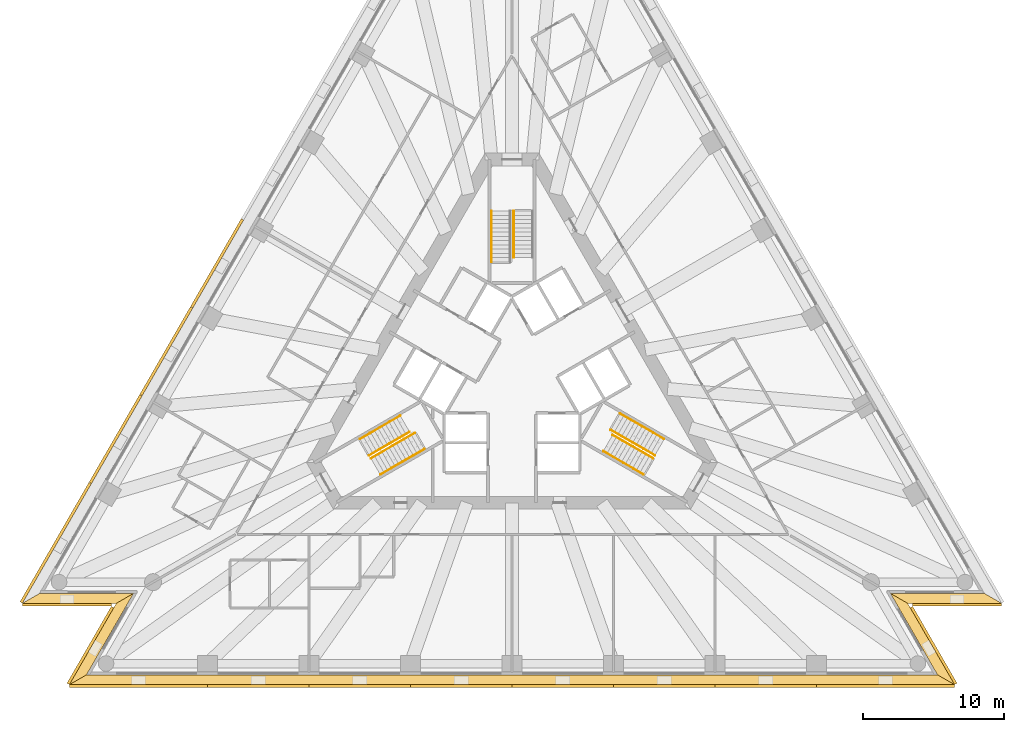
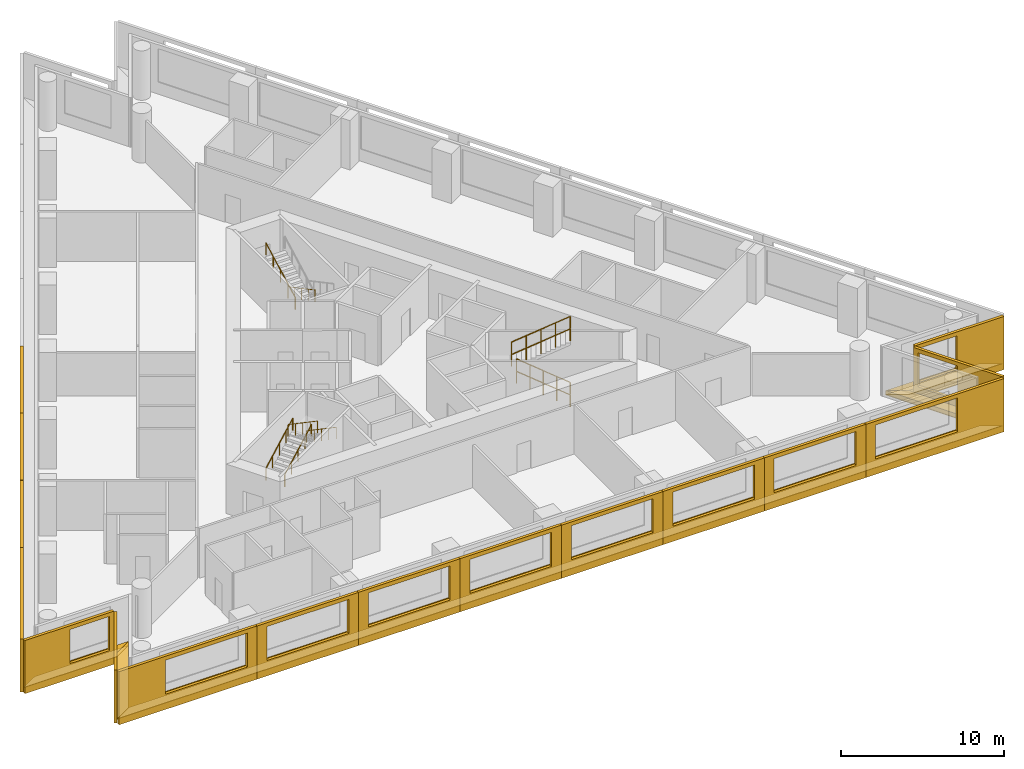
# One storey, part 10 of 11: 21 shading devices, 10 railings, 5 coverings, 3 elements without a shape of their own.
"""IFC4 building model written with IfcOpenShell, lengths in metres."""

from ifc_helpers import new_model, si_unit, direction, frame, origin, origin_2d, place, context, subcontext, project, spatial, polyline, circle, outline, extrude, material, layer, layer_set, layer_usage, type_object, element, aggregate, save


model = new_model("IFC4")

# Units and contexts
model_context = context("Model", 3, precision=1e-05, world=origin(), true_north=direction((0.0, 1.0)))
body_context = subcontext(model_context, "Body", "Model", "MODEL_VIEW")
ifc_project = project(units=[si_unit("LENGTHUNIT", "METRE"), si_unit("AREAUNIT", "SQUARE_METRE"), si_unit("VOLUMEUNIT", "CUBIC_METRE"), si_unit("PLANEANGLEUNIT", "RADIAN"), si_unit("MASSUNIT", "GRAM", prefix="KILO")], contexts=[model_context])

# Site, building, storey
site_placement = place(None, origin())
site = spatial("IfcSite", under=ifc_project, at=site_placement, CompositionType="ELEMENT")
building_placement = place(site_placement, origin())
building = spatial("IfcBuilding", under=site, at=building_placement, Name="Triada Interchange Tower", CompositionType="ELEMENT")
storey_placement = place(building_placement, frame((0.0, 0.0, 91.300048828125)))
storey = spatial("IfcBuildingStorey", under=building, at=storey_placement, Name="L20", CompositionType="ELEMENT", Elevation=91.300048828125)

# Coverings
ifc_material_1 = material(Name="Mineral fire-stop board")
ifc_layer_1 = layer(ifc_material_1, 0.0400390625, Name="Mineral fire-stop board")
ifc_material_2 = material(Name="Intumescent sealant")
ifc_layer_2 = layer(ifc_material_2, 0.010009765625, Name="Intumescent seal")
ifc_layer_set_1 = layer_set([ifc_layer_1, ifc_layer_2], Name="Cavity fire stop")
ifc_layer_usage = layer_usage(ifc_layer_set_1, "AXIS3", "POSITIVE", 0.0)
covering_type = type_object("IfcCoveringType", Name="Cavity fire stop", PredefinedType="INSULATION", material=ifc_layer_set_1)
covering_1_placement = place(storey_placement, origin())
element("IfcCovering", 1, at=covering_1_placement, inside=storey, type_object=covering_type, material=ifc_layer_usage, Name="Cavity fire stop L20 SW-1", PredefinedType="INSULATION", context=body_context, shape_type="SweptSolid", body=[
    extrude(outline(polyline([(-33.445068359375, -15.469970703125), (-34.656982421875, -16.169921875), (-28.007080078125, -16.169921875), (-26.794921875, -15.469970703125), (-33.445068359375, -15.469970703125)])), origin(), (0.0, 0.0, 1.0), 0.050048828125),
])
covering_2_placement = place(storey_placement, origin())
element("IfcCovering", 2, at=covering_2_placement, inside=storey, type_object=covering_type, material=ifc_layer_usage, Name="Cavity fire stop L20 SW-2", PredefinedType="INSULATION", context=body_context, shape_type="SweptSolid", body=[
    extrude(outline(polyline([(-26.794921875, -15.469970703125), (-28.007080078125, -16.169921875), (-31.33203125, -21.928955078125), (-30.1201171875, -21.22900390625), (-26.794921875, -15.469970703125)])), origin(), (0.0, 0.0, 1.0), 0.050048828125),
])
covering_3_placement = place(storey_placement, origin())
element("IfcCovering", 3, at=covering_3_placement, inside=storey, type_object=covering_type, material=ifc_layer_usage, Name="Cavity fire stop L20 S", PredefinedType="INSULATION", context=body_context, shape_type="SweptSolid", body=[
    extrude(outline(polyline([(-30.1201171875, -21.22900390625), (-31.33203125, -21.928955078125), (31.33203125, -21.928955078125), (30.1201171875, -21.22900390625), (-30.1201171875, -21.22900390625)])), origin(), (0.0, 0.0, 1.0), 0.050048828125),
])
covering_4_placement = place(storey_placement, origin())
element("IfcCovering", 4, at=covering_4_placement, inside=storey, type_object=covering_type, material=ifc_layer_usage, Name="Cavity fire stop L20 SE-1", PredefinedType="INSULATION", context=body_context, shape_type="SweptSolid", body=[
    extrude(outline(polyline([(30.1201171875, -21.22900390625), (31.33203125, -21.928955078125), (28.007080078125, -16.169921875), (26.794921875, -15.469970703125), (30.1201171875, -21.22900390625)])), origin(), (0.0, 0.0, 1.0), 0.050048828125),
])
covering_5_placement = place(storey_placement, origin())
element("IfcCovering", 5, at=covering_5_placement, inside=storey, type_object=covering_type, material=ifc_layer_usage, Name="Cavity fire stop L20 SE-2", PredefinedType="INSULATION", context=body_context, shape_type="SweptSolid", body=[
    extrude(outline(polyline([(26.794921875, -15.469970703125), (28.007080078125, -16.169921875), (34.656982421875, -16.169921875), (33.445068359375, -15.469970703125), (26.794921875, -15.469970703125)])), origin(), (0.0, 0.0, 1.0), 0.050048828125),
])

# Shading devices
ifc_material_3 = material(Name="Aluminium louvre", Category="aluminium")
shading_device_type_1 = type_object("IfcShadingDeviceType", Name="Cavity louvre grille", PredefinedType="JALOUSIE", material=ifc_material_3)
shading_device_1_placement = place(storey_placement, frame((0.0, 0.0, 0.050048828125)))
element("IfcShadingDevice", 6, at=shading_device_1_placement, inside=storey, type_object=shading_device_type_1, Name="Cavity louvre grille L20 SW-1", PredefinedType="JALOUSIE", context=body_context, shape_type="SweptSolid", body=[
    extrude(outline(polyline([(-33.445068359375, -15.469970703125), (-34.656982421875, -16.169921875), (-28.007080078125, -16.169921875), (-26.794921875, -15.469970703125), (-33.445068359375, -15.469970703125)])), origin(), (0.0, 0.0, 1.0), 0.2998046875),
])
shading_device_2_placement = place(storey_placement, frame((0.0, 0.0, 0.050048828125)))
element("IfcShadingDevice", 7, at=shading_device_2_placement, inside=storey, type_object=shading_device_type_1, Name="Cavity louvre grille L20 SW-2", PredefinedType="JALOUSIE", context=body_context, shape_type="SweptSolid", body=[
    extrude(outline(polyline([(-26.794921875, -15.469970703125), (-28.007080078125, -16.169921875), (-31.33203125, -21.928955078125), (-30.1201171875, -21.22900390625), (-26.794921875, -15.469970703125)])), origin(), (0.0, 0.0, 1.0), 0.2998046875),
])
shading_device_3_placement = place(storey_placement, frame((0.0, 0.0, 0.050048828125)))
element("IfcShadingDevice", 8, at=shading_device_3_placement, inside=storey, type_object=shading_device_type_1, Name="Cavity louvre grille L20 S", PredefinedType="JALOUSIE", context=body_context, shape_type="SweptSolid", body=[
    extrude(outline(polyline([(-30.1201171875, -21.22900390625), (-31.33203125, -21.928955078125), (31.33203125, -21.928955078125), (30.1201171875, -21.22900390625), (-30.1201171875, -21.22900390625)])), origin(), (0.0, 0.0, 1.0), 0.2998046875),
])
shading_device_4_placement = place(storey_placement, frame((0.0, 0.0, 0.050048828125)))
element("IfcShadingDevice", 9, at=shading_device_4_placement, inside=storey, type_object=shading_device_type_1, Name="Cavity louvre grille L20 SE-1", PredefinedType="JALOUSIE", context=body_context, shape_type="SweptSolid", body=[
    extrude(outline(polyline([(30.1201171875, -21.22900390625), (31.33203125, -21.928955078125), (28.007080078125, -16.169921875), (26.794921875, -15.469970703125), (30.1201171875, -21.22900390625)])), origin(), (0.0, 0.0, 1.0), 0.2998046875),
])
shading_device_5_placement = place(storey_placement, frame((0.0, 0.0, 0.050048828125)))
element("IfcShadingDevice", 10, at=shading_device_5_placement, inside=storey, type_object=shading_device_type_1, Name="Cavity louvre grille L20 SE-2", PredefinedType="JALOUSIE", context=body_context, shape_type="SweptSolid", body=[
    extrude(outline(polyline([(26.794921875, -15.469970703125), (28.007080078125, -16.169921875), (34.656982421875, -16.169921875), (33.445068359375, -15.469970703125), (26.794921875, -15.469970703125)])), origin(), (0.0, 0.0, 1.0), 0.2998046875),
])
ifc_material_4 = material(Name="Concrete C50/60 precast", Category="concrete")
ifc_layer_3 = layer(ifc_material_4, 0.02001953125, Name="Exposed aggregate face")
ifc_layer_4 = layer(ifc_material_4, 0.179931640625, Name="Precast concrete screen")
ifc_layer_set_2 = layer_set([ifc_layer_3, ifc_layer_4], Name="Outer skin screen panel 3980")
shading_device_type_2 = type_object("IfcShadingDeviceType", Name="Outer skin screen panel 3980", PredefinedType="SHUTTER", material=ifc_layer_set_2)
shading_device_6_placement = place(storey_placement, frame((-18.99609375, 10.9560546875, -0.2900390625), z_axis=(0.0, 0.0, 1.0), x_axis=(-0.499984023993, -0.86603462734, 0.0)))
element("IfcShadingDevice", 11, at=shading_device_6_placement, inside=storey, type_object=shading_device_type_2, Name="Outer skin screen panel L20 05", PredefinedType="SHUTTER", context=body_context, shape_type="SweptSolid", body=[
    extrude(outline(polyline([(0.0, 0.0), (7.163818359375, 0.0), (7.163818359375, 3.97998046875), (0.0, 3.97998046875), (0.0, 0.0)]), holes=[polyline([(0.681396484375, 1.139892578125), (0.681396484375, 3.68994140625), (6.4814453125, 3.68994140625), (6.4814453125, 1.139892578125), (0.681396484375, 1.139892578125)])]), frame((0.0, 0.0, 0.0), z_axis=(0.0, -1.0, 0.0), x_axis=(1.0, 0.0, 0.0)), (0.0, 0.0, 1.0), 0.199951171875),
])
shading_device_7_placement = place(storey_placement, frame((-22.587890625, 4.735107421875, -0.2900390625), z_axis=(0.0, 0.0, 1.0), x_axis=(-0.500009583697, -0.866019870564, 0.0)))
element("IfcShadingDevice", 12, at=shading_device_7_placement, inside=storey, type_object=shading_device_type_2, Name="Outer skin screen panel L20 06", PredefinedType="SHUTTER", context=body_context, shape_type="SweptSolid", body=[
    extrude(outline(polyline([(0.0, 0.0), (7.163818359375, 0.0), (7.163818359375, 3.97998046875), (0.0, 3.97998046875), (0.0, 0.0)]), holes=[polyline([(0.681884765625, 1.139892578125), (0.681884765625, 3.68994140625), (6.48193359375, 3.68994140625), (6.48193359375, 1.139892578125), (0.681884765625, 1.139892578125)])]), frame((0.0, 0.0, 0.0), z_axis=(0.0, -1.0, 0.0), x_axis=(1.0, 0.0, 0.0)), (0.0, 0.0, 1.0), 0.199951171875),
])
shading_device_8_placement = place(storey_placement, frame((-26.179931640625, -1.486083984375, -0.2900390625), z_axis=(0.0, 0.0, 1.0), x_axis=(-0.499922093299, -0.866070378567, 0.0)))
element("IfcShadingDevice", 13, at=shading_device_8_placement, inside=storey, type_object=shading_device_type_2, Name="Outer skin screen panel L20 07", PredefinedType="SHUTTER", context=body_context, shape_type="SweptSolid", body=[
    extrude(outline(polyline([(0.0, 0.0), (7.163330078125, 0.0), (7.163330078125, 3.97998046875), (0.0, 3.97998046875), (0.0, 0.0)]), holes=[polyline([(0.681396484375, 1.139892578125), (0.681396484375, 3.68994140625), (6.4814453125, 3.68994140625), (6.4814453125, 1.139892578125), (0.681396484375, 1.139892578125)])]), frame((0.0, 0.0, 0.0), z_axis=(0.0, -1.0, 0.0), x_axis=(1.0, 0.0, 0.0)), (0.0, 0.0, 1.0), 0.199951171875),
])
shading_device_9_placement = place(storey_placement, frame((-29.77099609375, -7.70703125, -0.2900390625), z_axis=(0.0, 0.0, 1.0), x_axis=(-0.500020487159, -0.866013575194, 0.0)))
element("IfcShadingDevice", 14, at=shading_device_9_placement, inside=storey, type_object=shading_device_type_2, Name="Outer skin screen panel L20 08", PredefinedType="SHUTTER", context=body_context, shape_type="SweptSolid", body=[
    extrude(outline(polyline([(0.0, 0.0), (9.76171875, 0.0), (9.76171875, 3.97998046875), (0.0, 3.97998046875), (0.0, 0.0)]), holes=[polyline([(0.681884765625, 1.139892578125), (0.681884765625, 3.68994140625), (6.481689453125, 3.68994140625), (6.481689453125, 1.139892578125), (0.681884765625, 1.139892578125)])]), frame((0.0, 0.0, 0.0), z_axis=(0.0, -1.0, 0.0), x_axis=(1.0, 0.0, 0.0)), (0.0, 0.0, 1.0), 0.199951171875),
])
shading_device_10_placement = place(storey_placement, frame((-34.64697265625, -16.169921875, -0.2900390625), z_axis=(0.0, 0.0, 1.0), x_axis=(1.0, 0.0, 0.0)))
element("IfcShadingDevice", 15, at=shading_device_10_placement, inside=storey, type_object=shading_device_type_2, Name="Outer skin screen panel L20 09", PredefinedType="SHUTTER", context=body_context, shape_type="SweptSolid", body=[
    extrude(outline(polyline([(0.0, 0.0), (6.282958984375, 0.0), (6.282958984375, 3.97998046875), (0.0, 3.97998046875), (0.0, 0.0)]), holes=[polyline([(3.175048828125, 1.139892578125), (3.175048828125, 3.68994140625), (5.98291015625, 3.68994140625), (5.98291015625, 1.139892578125), (3.175048828125, 1.139892578125)])]), frame((0.0, 0.0, 0.0), z_axis=(0.0, -1.0, 0.0), x_axis=(1.0, 0.0, 0.0)), (0.0, 0.0, 1.0), 0.199951171875),
])
shading_device_11_placement = place(storey_placement, frame((-28.18603515625, -16.47900390625, -0.2900390625), z_axis=(0.0, 0.0, 1.0), x_axis=(-0.499946717738, -0.866056164128, 0.0)))
element("IfcShadingDevice", 16, at=shading_device_11_placement, inside=storey, type_object=shading_device_type_2, Name="Outer skin screen panel L20 10", PredefinedType="SHUTTER", context=body_context, shape_type="SweptSolid", body=[
    extrude(outline(polyline([(0.0, 0.0), (6.282470703125, 0.0), (6.282470703125, 3.97998046875), (0.0, 3.97998046875), (0.0, 0.0)]), holes=[polyline([(0.300048828125, 1.139892578125), (0.300048828125, 3.68994140625), (2.9580078125, 3.68994140625), (2.9580078125, 1.139892578125), (0.300048828125, 1.139892578125)])]), frame((0.0, 0.0, 0.0), z_axis=(0.0, -1.0, 0.0), x_axis=(1.0, 0.0, 0.0)), (0.0, 0.0, 1.0), 0.199951171875),
])
shading_device_12_placement = place(storey_placement, frame((-31.322021484375, -21.928955078125, -0.2900390625), z_axis=(0.0, 0.0, 1.0), x_axis=(1.0, 0.0, 0.0)))
element("IfcShadingDevice", 17, at=shading_device_12_placement, inside=storey, type_object=shading_device_type_2, Name="Outer skin screen panel L20 11", PredefinedType="SHUTTER", context=body_context, shape_type="SweptSolid", body=[
    extrude(outline(polyline([(0.0, 0.0), (9.761962890625, 0.0), (9.761962890625, 3.97998046875), (0.0, 3.97998046875), (0.0, 0.0)]), holes=[polyline([(3.280029296875, 1.139892578125), (3.280029296875, 3.68994140625), (9.080078125, 3.68994140625), (9.080078125, 1.139892578125), (3.280029296875, 1.139892578125)])]), frame((0.0, 0.0, 0.0), z_axis=(0.0, -1.0, 0.0), x_axis=(1.0, 0.0, 0.0)), (0.0, 0.0, 1.0), 0.199951171875),
])
shading_device_13_placement = place(storey_placement, frame((-21.5400390625, -21.928955078125, -0.2900390625), z_axis=(0.0, 0.0, 1.0), x_axis=(1.0, 0.0, 0.0)))
element("IfcShadingDevice", 18, at=shading_device_13_placement, inside=storey, type_object=shading_device_type_2, Name="Outer skin screen panel L20 12", PredefinedType="SHUTTER", context=body_context, shape_type="SweptSolid", body=[
    extrude(outline(polyline([(0.0, 0.0), (7.1630859375, 0.0), (7.1630859375, 3.97998046875), (0.0, 3.97998046875), (0.0, 0.0)]), holes=[polyline([(0.681396484375, 1.139892578125), (0.681396484375, 3.68994140625), (6.4814453125, 3.68994140625), (6.4814453125, 1.139892578125), (0.681396484375, 1.139892578125)])]), frame((0.0, 0.0, 0.0), z_axis=(0.0, -1.0, 0.0), x_axis=(1.0, 0.0, 0.0)), (0.0, 0.0, 1.0), 0.199951171875),
])
shading_device_14_placement = place(storey_placement, frame((-14.35693359375, -21.928955078125, -0.2900390625), z_axis=(0.0, 0.0, 1.0), x_axis=(1.0, 0.0, 0.0)))
element("IfcShadingDevice", 19, at=shading_device_14_placement, inside=storey, type_object=shading_device_type_2, Name="Outer skin screen panel L20 13", PredefinedType="SHUTTER", context=body_context, shape_type="SweptSolid", body=[
    extrude(outline(polyline([(0.0, 0.0), (7.162841796875, 0.0), (7.162841796875, 3.97998046875), (0.0, 3.97998046875), (0.0, 0.0)]), holes=[polyline([(0.681884765625, 1.139892578125), (0.681884765625, 3.68994140625), (6.48193359375, 3.68994140625), (6.48193359375, 1.139892578125), (0.681884765625, 1.139892578125)])]), frame((0.0, 0.0, 0.0), z_axis=(0.0, -1.0, 0.0), x_axis=(1.0, 0.0, 0.0)), (0.0, 0.0, 1.0), 0.199951171875),
])
shading_device_15_placement = place(storey_placement, frame((-7.174072265625, -21.928955078125, -0.2900390625), z_axis=(0.0, 0.0, 1.0), x_axis=(1.0, 0.0, 0.0)))
element("IfcShadingDevice", 20, at=shading_device_15_placement, inside=storey, type_object=shading_device_type_2, Name="Outer skin screen panel L20 14", PredefinedType="SHUTTER", context=body_context, shape_type="SweptSolid", body=[
    extrude(outline(polyline([(0.0, 0.0), (7.1640625, 0.0), (7.1640625, 3.97998046875), (0.0, 3.97998046875), (0.0, 0.0)]), holes=[polyline([(0.681396484375, 1.139892578125), (0.681396484375, 3.68994140625), (6.4814453125, 3.68994140625), (6.4814453125, 1.139892578125), (0.681396484375, 1.139892578125)])]), frame((0.0, 0.0, 0.0), z_axis=(0.0, -1.0, 0.0), x_axis=(1.0, 0.0, 0.0)), (0.0, 0.0, 1.0), 0.199951171875),
])
shading_device_16_placement = place(storey_placement, frame((0.010009765625, -21.928955078125, -0.2900390625), z_axis=(0.0, 0.0, 1.0), x_axis=(1.0, 0.0, 0.0)))
element("IfcShadingDevice", 21, at=shading_device_16_placement, inside=storey, type_object=shading_device_type_2, Name="Outer skin screen panel L20 15", PredefinedType="SHUTTER", context=body_context, shape_type="SweptSolid", body=[
    extrude(outline(polyline([(0.0, 0.0), (7.1640625, 0.0), (7.1640625, 3.97998046875), (0.0, 3.97998046875), (0.0, 0.0)]), holes=[polyline([(0.681884765625, 1.139892578125), (0.681884765625, 3.68994140625), (6.48193359375, 3.68994140625), (6.48193359375, 1.139892578125), (0.681884765625, 1.139892578125)])]), frame((0.0, 0.0, 0.0), z_axis=(0.0, -1.0, 0.0), x_axis=(1.0, 0.0, 0.0)), (0.0, 0.0, 1.0), 0.199951171875),
])
shading_device_17_placement = place(storey_placement, frame((7.194091796875, -21.928955078125, -0.2900390625), z_axis=(0.0, 0.0, 1.0), x_axis=(1.0, 0.0, 0.0)))
element("IfcShadingDevice", 22, at=shading_device_17_placement, inside=storey, type_object=shading_device_type_2, Name="Outer skin screen panel L20 16", PredefinedType="SHUTTER", context=body_context, shape_type="SweptSolid", body=[
    extrude(outline(polyline([(0.0, 0.0), (7.162841796875, 0.0), (7.162841796875, 3.97998046875), (0.0, 3.97998046875), (0.0, 0.0)]), holes=[polyline([(0.681396484375, 1.139892578125), (0.681396484375, 3.68994140625), (6.4814453125, 3.68994140625), (6.4814453125, 1.139892578125), (0.681396484375, 1.139892578125)])]), frame((0.0, 0.0, 0.0), z_axis=(0.0, -1.0, 0.0), x_axis=(1.0, 0.0, 0.0)), (0.0, 0.0, 1.0), 0.199951171875),
])
shading_device_18_placement = place(storey_placement, frame((14.376953125, -21.928955078125, -0.2900390625), z_axis=(0.0, 0.0, 1.0), x_axis=(1.0, 0.0, 0.0)))
element("IfcShadingDevice", 23, at=shading_device_18_placement, inside=storey, type_object=shading_device_type_2, Name="Outer skin screen panel L20 17", PredefinedType="SHUTTER", context=body_context, shape_type="SweptSolid", body=[
    extrude(outline(polyline([(0.0, 0.0), (7.1630859375, 0.0), (7.1630859375, 3.97998046875), (0.0, 3.97998046875), (0.0, 0.0)]), holes=[polyline([(0.681884765625, 1.139892578125), (0.681884765625, 3.68994140625), (6.48193359375, 3.68994140625), (6.48193359375, 1.139892578125), (0.681884765625, 1.139892578125)])]), frame((0.0, 0.0, 0.0), z_axis=(0.0, -1.0, 0.0), x_axis=(1.0, 0.0, 0.0)), (0.0, 0.0, 1.0), 0.199951171875),
])
shading_device_19_placement = place(storey_placement, frame((21.56005859375, -21.928955078125, -0.2900390625), z_axis=(0.0, 0.0, 1.0), x_axis=(1.0, 0.0, 0.0)))
element("IfcShadingDevice", 24, at=shading_device_19_placement, inside=storey, type_object=shading_device_type_2, Name="Outer skin screen panel L20 18", PredefinedType="SHUTTER", context=body_context, shape_type="SweptSolid", body=[
    extrude(outline(polyline([(0.0, 0.0), (9.761962890625, 0.0), (9.761962890625, 3.97998046875), (0.0, 3.97998046875), (0.0, 0.0)]), holes=[polyline([(0.681396484375, 1.139892578125), (0.681396484375, 3.68994140625), (6.4814453125, 3.68994140625), (6.4814453125, 1.139892578125), (0.681396484375, 1.139892578125)])]), frame((0.0, 0.0, 0.0), z_axis=(0.0, -1.0, 0.0), x_axis=(1.0, 0.0, 0.0)), (0.0, 0.0, 1.0), 0.199951171875),
])
shading_device_20_placement = place(storey_placement, frame((31.326904296875, -21.919921875, -0.2900390625), z_axis=(0.0, 0.0, 1.0), x_axis=(-0.499946717738, 0.866056164128, 0.0)))
element("IfcShadingDevice", 25, at=shading_device_20_placement, inside=storey, type_object=shading_device_type_2, Name="Outer skin screen panel L20 19", PredefinedType="SHUTTER", context=body_context, shape_type="SweptSolid", body=[
    extrude(outline(polyline([(0.0, 0.0), (6.282470703125, 0.0), (6.282470703125, 3.97998046875), (0.0, 3.97998046875), (0.0, 0.0)]), holes=[polyline([(3.17529296875, 1.139892578125), (3.17529296875, 3.68994140625), (5.983154296875, 3.68994140625), (5.983154296875, 1.139892578125), (3.17529296875, 1.139892578125)])]), frame((0.0, 0.0, 0.0), z_axis=(0.0, -1.0, 0.0), x_axis=(1.0, 0.0, 0.0)), (0.0, 0.0, 1.0), 0.199951171875),
])
shading_device_21_placement = place(storey_placement, frame((28.364013671875, -16.169921875, -0.2900390625), z_axis=(0.0, 0.0, 1.0), x_axis=(1.0, 0.0, 0.0)))
element("IfcShadingDevice", 26, at=shading_device_21_placement, inside=storey, type_object=shading_device_type_2, Name="Outer skin screen panel L20 20", PredefinedType="SHUTTER", context=body_context, shape_type="SweptSolid", body=[
    extrude(outline(polyline([(0.0, 0.0), (6.282958984375, 0.0), (6.282958984375, 3.97998046875), (0.0, 3.97998046875), (0.0, 0.0)]), holes=[polyline([(0.300048828125, 1.139892578125), (0.300048828125, 3.68994140625), (2.9580078125, 3.68994140625), (2.9580078125, 1.139892578125), (0.300048828125, 1.139892578125)])]), frame((0.0, 0.0, 0.0), z_axis=(0.0, -1.0, 0.0), x_axis=(1.0, 0.0, 0.0)), (0.0, 0.0, 1.0), 0.199951171875),
])

# Stair, railings
ifc_material_5 = material(Name="Concrete C35/45", Category="concrete")
stair_type = type_object("IfcStairType", Name="HALF TURN STAIR 1400", PredefinedType="HALF_TURN_STAIR", material=ifc_material_5)
stair_1_placement = place(storey_placement, origin())
stair_1 = element("IfcStair", 27, at=stair_1_placement, inside=storey, type_object=stair_type, Name="Exit stair S18-1", PredefinedType="HALF_TURN_STAIR")
ifc_material_6 = material(Name="Stainless steel 1.4301", Category="steel")
railing_type = type_object("IfcRailingType", Name="STAIR HANDRAIL 900", PredefinedType="HANDRAIL", material=ifc_material_6)
railing_1_placement = place(storey_placement, frame((0.1201171875, 11.60009765625, 0.159912109375)))
railing_1 = element("IfcRailing", 28, at=railing_1_placement, type_object=railing_type, Name="Handrail S18-1 1C", PredefinedType="HANDRAIL", context=body_context, shape_type="SweptSolid", body=[
    extrude(circle(Radius=0.02392578125, at=origin_2d()), frame((0.0, 0.0, 0.8759765625), z_axis=(0.0, -0.882354748157, 0.47058484719), x_axis=(1.0, 0.0, 0.0)), (0.0, 0.0, 1.0), 3.739990234375),
    extrude(circle(Radius=0.02099609375, at=origin_2d()), origin(), (0.0, 0.0, 1.0), 0.851806640625),
    extrude(circle(Radius=0.02099609375, at=origin_2d()), frame((0.0, -0.824951171875, 0.43994140625)), (0.0, 0.0, 1.0), 0.851806640625),
    extrude(circle(Radius=0.02099609375, at=origin_2d()), frame((0.0, -1.64990234375, 0.8798828125)), (0.0, 0.0, 1.0), 0.851806640625),
    extrude(circle(Radius=0.02099609375, at=origin_2d()), frame((0.0, -2.47509765625, 1.320068359375)), (0.0, 0.0, 1.0), 0.851806640625),
    extrude(circle(Radius=0.02099609375, at=origin_2d()), frame((0.0, -3.300048828125, 1.760009765625)), (0.0, 0.0, 1.0), 0.851806640625),
])
railing_2_placement = place(storey_placement, frame((-1.449951171875, 8.0, 2.079833984375)))
railing_2 = element("IfcRailing", 29, at=railing_2_placement, type_object=railing_type, Name="Handrail S18-1 2W", PredefinedType="HANDRAIL", context=body_context, shape_type="SweptSolid", body=[
    extrude(circle(Radius=0.02392578125, at=origin_2d()), frame((0.0, 0.0, 0.8759765625), z_axis=(0.0, 0.882341346394, 0.470609974867), x_axis=(-1.0, 0.0, 0.0)), (0.0, 0.0, 1.0), 4.080078125),
    extrude(circle(Radius=0.02099609375, at=origin_2d()), origin(), (0.0, 0.0, 1.0), 0.851806640625),
    extrude(circle(Radius=0.02099609375, at=origin_2d()), frame((0.0, 0.89990234375, 0.47998046875)), (0.0, 0.0, 1.0), 0.851806640625),
    extrude(circle(Radius=0.02099609375, at=origin_2d()), frame((0.0, 1.800048828125, 0.9599609375)), (0.0, 0.0, 1.0), 0.851806640625),
    extrude(circle(Radius=0.02099609375, at=origin_2d()), frame((0.0, 2.7001953125, 1.440185546875)), (0.0, 0.0, 1.0), 0.851806640625),
    extrude(circle(Radius=0.02099609375, at=origin_2d()), frame((0.0, 3.60009765625, 1.920166015625)), (0.0, 0.0, 1.0), 0.851806640625),
])
aggregate(stair_1, [railing_1, railing_2])

stair_2_placement = place(storey_placement, origin())
stair_2 = element("IfcStair", 30, at=stair_2_placement, inside=storey, type_object=stair_type, Name="Exit stair S18-2", PredefinedType="HALF_TURN_STAIR")
railing_3_placement = place(storey_placement, frame((-10.77099609375, -4.5439453125, 0.159912109375)))
railing_3 = element("IfcRailing", 31, at=railing_3_placement, type_object=railing_type, Name="Handrail S18-2 1W", PredefinedType="HANDRAIL", context=body_context, shape_type="SweptSolid", body=[
    extrude(circle(Radius=0.02392578125, at=origin_2d()), frame((0.0, 0.0, 0.8759765625), z_axis=(0.764150854273, 0.441152526326, 0.470593158077), x_axis=(-0.499974350878, 0.866040211805, 0.0)), (0.0, 0.0, 1.0), 3.739990234375),
    extrude(circle(Radius=0.02099609375, at=origin_2d()), origin(), (0.0, 0.0, 1.0), 0.851806640625),
    extrude(circle(Radius=0.02099609375, at=origin_2d()), frame((0.71435546875, 0.41259765625, 0.43994140625)), (0.0, 0.0, 1.0), 0.851806640625),
    extrude(circle(Radius=0.02099609375, at=origin_2d()), frame((1.428955078125, 0.824951171875, 0.8798828125)), (0.0, 0.0, 1.0), 0.851806640625),
    extrude(circle(Radius=0.02099609375, at=origin_2d()), frame((2.1435546875, 1.2373046875, 1.320068359375)), (0.0, 0.0, 1.0), 0.851806640625),
    extrude(circle(Radius=0.02099609375, at=origin_2d()), frame((2.85791015625, 1.64990234375, 1.760009765625)), (0.0, 0.0, 1.0), 0.851806640625),
])
railing_4_placement = place(storey_placement, frame((-10.10595703125, -5.696044921875, 0.159912109375)))
railing_4 = element("IfcRailing", 32, at=railing_4_placement, type_object=railing_type, Name="Handrail S18-2 1C", PredefinedType="HANDRAIL", context=body_context, shape_type="SweptSolid", body=[
    extrude(circle(Radius=0.02392578125, at=origin_2d()), frame((0.0, 0.0, 0.8759765625), z_axis=(0.76412884773, 0.441205098395, 0.470579605611), x_axis=(-0.50002983664, 0.866008176907, 0.0)), (0.0, 0.0, 1.0), 3.739990234375),
    extrude(circle(Radius=0.02099609375, at=origin_2d()), origin(), (0.0, 0.0, 1.0), 0.851806640625),
    extrude(circle(Radius=0.02099609375, at=origin_2d()), frame((0.71435546875, 0.41259765625, 0.43994140625)), (0.0, 0.0, 1.0), 0.851806640625),
    extrude(circle(Radius=0.02099609375, at=origin_2d()), frame((1.428955078125, 0.8251953125, 0.8798828125)), (0.0, 0.0, 1.0), 0.851806640625),
    extrude(circle(Radius=0.02099609375, at=origin_2d()), frame((2.1435546875, 1.237548828125, 1.320068359375)), (0.0, 0.0, 1.0), 0.851806640625),
    extrude(circle(Radius=0.02099609375, at=origin_2d()), frame((2.85791015625, 1.650146484375, 1.760009765625)), (0.0, 0.0, 1.0), 0.851806640625),
])
railing_5_placement = place(storey_placement, frame((-6.202880859375, -5.256103515625, 2.079833984375)))
railing_5 = element("IfcRailing", 33, at=railing_5_placement, type_object=railing_type, Name="Handrail S18-2 2W", PredefinedType="HANDRAIL", context=body_context, shape_type="SweptSolid", body=[
    extrude(circle(Radius=0.02392578125, at=origin_2d()), frame((0.0, 0.0, 0.8759765625), z_axis=(-0.764189758314, -0.441090424232, 0.470588196769), x_axis=(0.499902469156, -0.866081705922, 0.0)), (0.0, 0.0, 1.0), 4.080322265625),
    extrude(circle(Radius=0.02099609375, at=origin_2d()), origin(), (0.0, 0.0, 1.0), 0.851806640625),
    extrude(circle(Radius=0.02099609375, at=origin_2d()), frame((-0.779541015625, -0.449951171875, 0.47998046875)), (0.0, 0.0, 1.0), 0.851806640625),
    extrude(circle(Radius=0.02099609375, at=origin_2d()), frame((-1.55908203125, -0.89990234375, 0.9599609375)), (0.0, 0.0, 1.0), 0.851806640625),
    extrude(circle(Radius=0.02099609375, at=origin_2d()), frame((-2.338623046875, -1.349853515625, 1.440185546875)), (0.0, 0.0, 1.0), 0.851806640625),
    extrude(circle(Radius=0.02099609375, at=origin_2d()), frame((-3.1181640625, -1.7998046875, 1.920166015625)), (0.0, 0.0, 1.0), 0.851806640625),
])
railing_6_placement = place(storey_placement, frame((-6.867919921875, -4.10400390625, 2.079833984375)))
railing_6 = element("IfcRailing", 34, at=railing_6_placement, type_object=railing_type, Name="Handrail S18-2 2C", PredefinedType="HANDRAIL", context=body_context, shape_type="SweptSolid", body=[
    extrude(circle(Radius=0.02392578125, at=origin_2d()), frame((0.0, 0.0, 0.8759765625), z_axis=(-0.764169589359, -0.441138614339, 0.470575776723), x_axis=(0.49995333141, -0.866052346231, 0.0)), (0.0, 0.0, 1.0), 4.08056640625),
    extrude(circle(Radius=0.02099609375, at=origin_2d()), origin(), (0.0, 0.0, 1.0), 0.851806640625),
    extrude(circle(Radius=0.02099609375, at=origin_2d()), frame((-0.779541015625, -0.449951171875, 0.47998046875)), (0.0, 0.0, 1.0), 0.851806640625),
    extrude(circle(Radius=0.02099609375, at=origin_2d()), frame((-1.55908203125, -0.89990234375, 0.9599609375)), (0.0, 0.0, 1.0), 0.851806640625),
    extrude(circle(Radius=0.02099609375, at=origin_2d()), frame((-2.338623046875, -1.35009765625, 1.440185546875)), (0.0, 0.0, 1.0), 0.851806640625),
    extrude(circle(Radius=0.02099609375, at=origin_2d()), frame((-3.1181640625, -1.800048828125, 1.920166015625)), (0.0, 0.0, 1.0), 0.851806640625),
])
aggregate(stair_2, [railing_3, railing_4, railing_5, railing_6])

stair_3_placement = place(storey_placement, origin())
stair_3 = element("IfcStair", 35, at=stair_3_placement, inside=storey, type_object=stair_type, Name="Exit stair S18-3", PredefinedType="HALF_TURN_STAIR")
railing_7_placement = place(storey_placement, frame((9.321044921875, -7.055908203125, 0.159912109375)))
railing_7 = element("IfcRailing", 36, at=railing_7_placement, type_object=railing_type, Name="Handrail S18-3 1W", PredefinedType="HANDRAIL", context=body_context, shape_type="SweptSolid", body=[
    extrude(circle(Radius=0.02392578125, at=origin_2d()), frame((0.0, 0.0, 0.8759765625), z_axis=(-0.764178012919, 0.441130521168, 0.470569684388), x_axis=(-0.499942318283, -0.866058703778, 0.0)), (0.0, 0.0, 1.0), 3.740234375),
    extrude(circle(Radius=0.02099609375, at=origin_2d()), origin(), (0.0, 0.0, 1.0), 0.851806640625),
    extrude(circle(Radius=0.02099609375, at=origin_2d()), frame((-0.714599609375, 0.41259765625, 0.43994140625)), (0.0, 0.0, 1.0), 0.851806640625),
    extrude(circle(Radius=0.02099609375, at=origin_2d()), frame((-1.42919921875, 0.824951171875, 0.8798828125)), (0.0, 0.0, 1.0), 0.851806640625),
    extrude(circle(Radius=0.02099609375, at=origin_2d()), frame((-2.1435546875, 1.2373046875, 1.320068359375)), (0.0, 0.0, 1.0), 0.851806640625),
    extrude(circle(Radius=0.02099609375, at=origin_2d()), frame((-2.858154296875, 1.64990234375, 1.760009765625)), (0.0, 0.0, 1.0), 0.851806640625),
])
railing_8_placement = place(storey_placement, frame((9.986083984375, -5.904052734375, 0.159912109375)))
railing_8 = element("IfcRailing", 37, at=railing_8_placement, type_object=railing_type, Name="Handrail S18-3 1C", PredefinedType="HANDRAIL", context=body_context, shape_type="SweptSolid", body=[
    extrude(circle(Radius=0.02392578125, at=origin_2d()), frame((0.0, 0.0, 0.8759765625), z_axis=(-0.764156007789, 0.441183091881, 0.47055613395), x_axis=(-0.49999780286, -0.8660266723, 0.0)), (0.0, 0.0, 1.0), 3.740234375),
    extrude(circle(Radius=0.02099609375, at=origin_2d()), origin(), (0.0, 0.0, 1.0), 0.851806640625),
    extrude(circle(Radius=0.02099609375, at=origin_2d()), frame((-0.714599609375, 0.41259765625, 0.43994140625)), (0.0, 0.0, 1.0), 0.851806640625),
    extrude(circle(Radius=0.02099609375, at=origin_2d()), frame((-1.42919921875, 0.8251953125, 0.8798828125)), (0.0, 0.0, 1.0), 0.851806640625),
    extrude(circle(Radius=0.02099609375, at=origin_2d()), frame((-2.1435546875, 1.237548828125, 1.320068359375)), (0.0, 0.0, 1.0), 0.851806640625),
    extrude(circle(Radius=0.02099609375, at=origin_2d()), frame((-2.858154296875, 1.650146484375, 1.760009765625)), (0.0, 0.0, 1.0), 0.851806640625),
])
railing_9_placement = place(storey_placement, frame((7.653076171875, -2.743896484375, 2.079833984375)))
railing_9 = element("IfcRailing", 38, at=railing_9_placement, type_object=railing_type, Name="Handrail S18-3 2W", PredefinedType="HANDRAIL", context=body_context, shape_type="SweptSolid", body=[
    extrude(circle(Radius=0.02392578125, at=origin_2d()), frame((0.0, 0.0, 0.8759765625), z_axis=(0.76414469501, -0.441158784458, 0.470597292793), x_axis=(0.499982693035, 0.866035395735, 0.0)), (0.0, 0.0, 1.0), 4.080322265625),
    extrude(circle(Radius=0.02099609375, at=origin_2d()), origin(), (0.0, 0.0, 1.0), 0.851806640625),
    extrude(circle(Radius=0.02099609375, at=origin_2d()), frame((0.779541015625, -0.449951171875, 0.47998046875)), (0.0, 0.0, 1.0), 0.851806640625),
    extrude(circle(Radius=0.02099609375, at=origin_2d()), frame((1.55908203125, -0.89990234375, 0.9599609375)), (0.0, 0.0, 1.0), 0.851806640625),
    extrude(circle(Radius=0.02099609375, at=origin_2d()), frame((2.33837890625, -1.35009765625, 1.440185546875)), (0.0, 0.0, 1.0), 0.851806640625),
    extrude(circle(Radius=0.02099609375, at=origin_2d()), frame((3.117919921875, -1.800048828125, 1.920166015625)), (0.0, 0.0, 1.0), 0.851806640625),
])
railing_10_placement = place(storey_placement, frame((6.988037109375, -3.89599609375, 2.079833984375)))
railing_10 = element("IfcRailing", 39, at=railing_10_placement, type_object=railing_type, Name="Handrail S18-3 2C", PredefinedType="HANDRAIL", context=body_context, shape_type="SweptSolid", body=[
    extrude(circle(Radius=0.02392578125, at=origin_2d()), frame((0.0, 0.0, 0.8759765625), z_axis=(0.76414469501, -0.441158784458, 0.470597292793), x_axis=(0.499982693035, 0.866035395735, 0.0)), (0.0, 0.0, 1.0), 4.080322265625),
    extrude(circle(Radius=0.02099609375, at=origin_2d()), origin(), (0.0, 0.0, 1.0), 0.851806640625),
    extrude(circle(Radius=0.02099609375, at=origin_2d()), frame((0.779541015625, -0.449951171875, 0.47998046875)), (0.0, 0.0, 1.0), 0.851806640625),
    extrude(circle(Radius=0.02099609375, at=origin_2d()), frame((1.55908203125, -0.89990234375, 0.9599609375)), (0.0, 0.0, 1.0), 0.851806640625),
    extrude(circle(Radius=0.02099609375, at=origin_2d()), frame((2.33837890625, -1.35009765625, 1.440185546875)), (0.0, 0.0, 1.0), 0.851806640625),
    extrude(circle(Radius=0.02099609375, at=origin_2d()), frame((3.117919921875, -1.800048828125, 1.920166015625)), (0.0, 0.0, 1.0), 0.851806640625),
])
aggregate(stair_3, [railing_7, railing_8, railing_9, railing_10])

save(model, "model.ifc")
